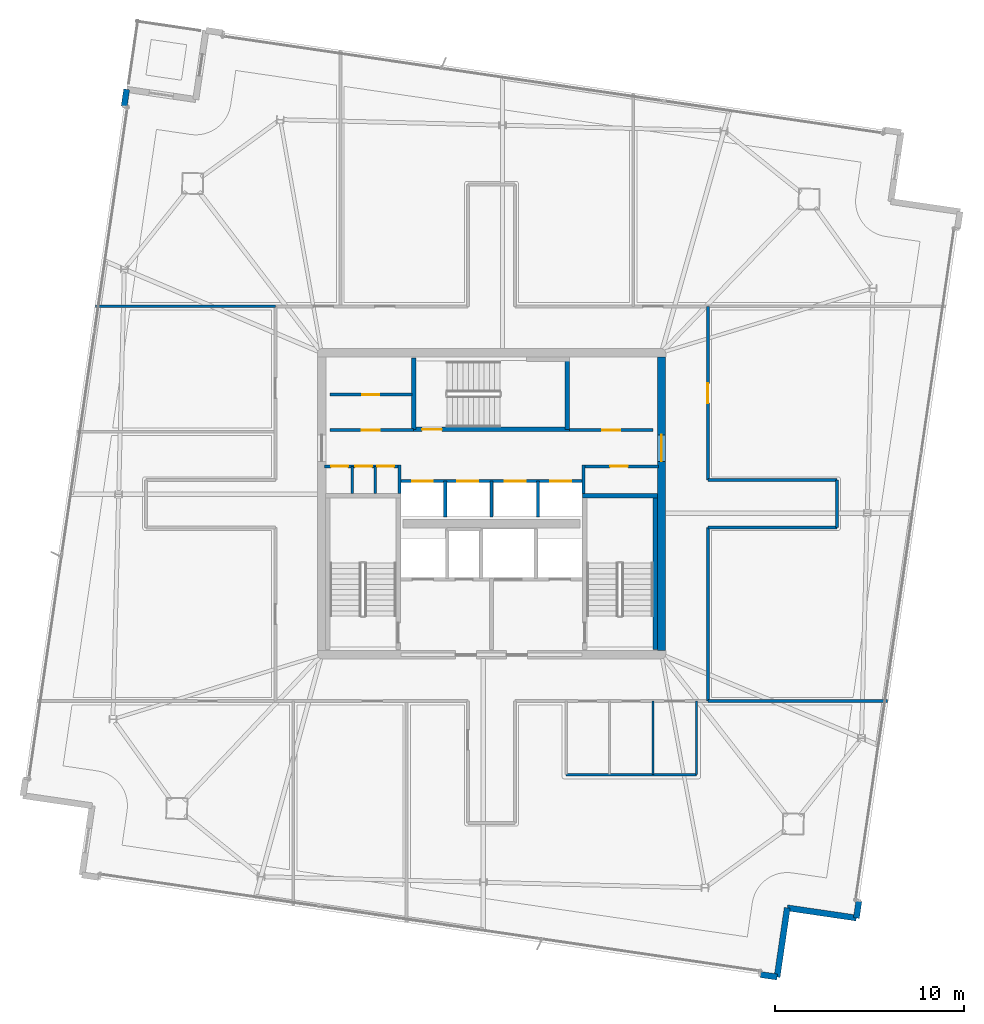
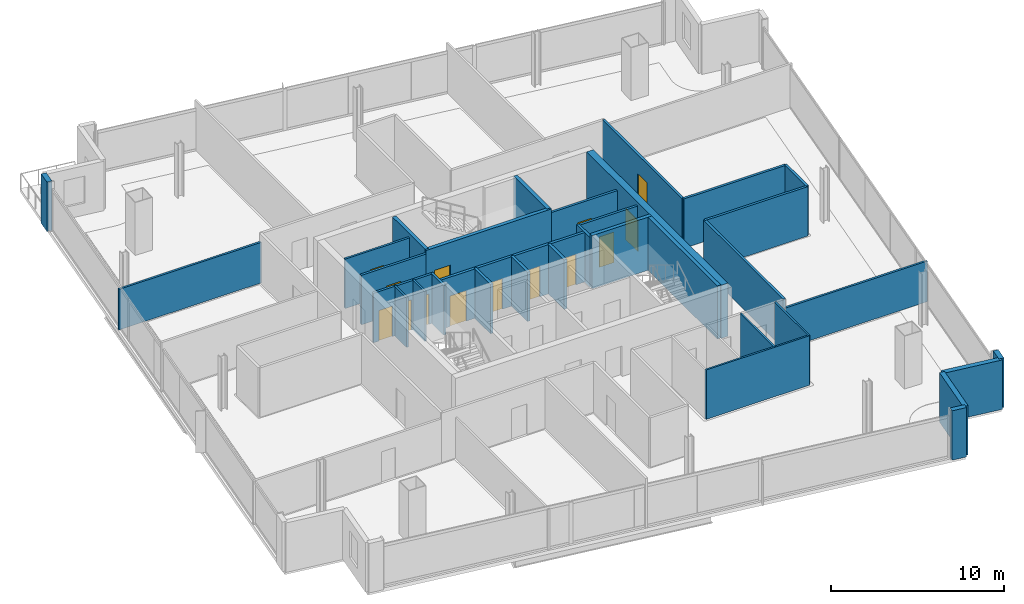
# One storey, part 18 of 22: 34 walls, 14 doors, 14 openings.
"""IFC4 building model written with IfcOpenShell, lengths in metres."""

from ifc_helpers import new_model, si_unit, direction, frame, frame_2d, origin, place, context, subcontext, project, spatial, rectangle, extrude, material, layer, layer_set, type_object, element, fill, save


model = new_model("IFC4")

# Units and contexts
model_context = context("Model", 3, precision=1e-05, world=origin(), true_north=direction((0.0, 1.0)))
body_context = subcontext(model_context, "Body", "Model", "MODEL_VIEW")
ifc_project = project(units=[si_unit("LENGTHUNIT", "METRE"), si_unit("AREAUNIT", "SQUARE_METRE"), si_unit("VOLUMEUNIT", "CUBIC_METRE"), si_unit("PLANEANGLEUNIT", "RADIAN"), si_unit("MASSUNIT", "GRAM", prefix="KILO")], contexts=[model_context])

# Site, building, storey
site_placement = place(None, origin())
site = spatial("IfcSite", under=ifc_project, at=site_placement, CompositionType="ELEMENT")
building_placement = place(site_placement, origin())
building = spatial("IfcBuilding", under=site, at=building_placement, Name="Haldenkirk Collegiate Tower", CompositionType="ELEMENT")
storey_placement = place(building_placement, frame((0.0, 0.0, 302.699951171875)))
storey = spatial("IfcBuildingStorey", under=building, at=storey_placement, Name="L76", CompositionType="ELEMENT", Elevation=302.699951171875)

# Wall, opening, door
ifc_material_1 = material(Name="Concrete f'c 55 MPa", Category="concrete")
ifc_layer_1 = layer(ifc_material_1, 0.449951171875)
ifc_layer_set_1 = layer_set([ifc_layer_1], Name="Concrete f'c 55 MPa")
wall_type_1 = type_object("IfcWallType", Name="WL-CORE-450", PredefinedType="SHEAR", material=ifc_layer_set_1)
wall_1_placement = place(storey_placement, frame((45.0, 18.22509765625, 0.0), z_axis=(0.0, 0.0, 1.0), x_axis=(0.0, 1.0, 0.0)))
wall_1 = element("IfcWall", 1, at=wall_1_placement, inside=storey, type_object=wall_type_1, Name="L76 central core shear wall E", PredefinedType="SHEAR", context=body_context, shape_type="SweptSolid", body=[
    extrude(rectangle(XDim=15.5498046875, YDim=0.449951171875, at=frame_2d((7.77490234375, 0.0))), origin(), (0.0, 0.0, 1.0), 3.75),
])
opening_1_placement = place(wall_1_placement, frame((10.014892578125, 0.0, 0.0)))
opening_1 = element("IfcOpeningElement", 2, at=opening_1_placement, cuts=wall_1, Name="Opening D-03", PredefinedType="OPENING", context=body_context, shape_type="SweptSolid", body=[
    extrude(rectangle(XDim=1.39990234375, YDim=2.199951171875, at=frame_2d((0.699951171875, 1.10009765625))), frame((0.0, 0.23486328125, 0.0), z_axis=(0.0, -1.0, 0.0), x_axis=(1.0, 0.0, 0.0)), (0.0, 0.0, 1.0), 0.469970703125),
])
ifc_material_2 = material(Name="Galvanized fire-rated hollow steel door", Category="steel")
ifc_layer_2 = layer(ifc_material_2, 0.06005859375)
ifc_layer_set_2 = layer_set([ifc_layer_2], Name="Galvanized fire-rated hollow steel door")
door_type_1 = type_object("IfcDoorType", Name="DR-LOBBY-FD90-1400", OperationType="NOTDEFINED", PredefinedType="DOOR", material=ifc_layer_set_2)
door_1_placement = place(opening_1_placement, origin())
door_1 = element("IfcDoor", 3, at=door_1_placement, inside=storey, type_object=door_type_1, Name="L76 east lift lobby portal", OperationType="DOUBLE_DOOR_SINGLE_SWING", OverallHeight=2.199951171875, OverallWidth=1.39990234375, PredefinedType="DOOR", context=body_context, shape_type="SweptSolid", body=[
    extrude(rectangle(XDim=1.39990234375, YDim=2.199951171875, at=frame_2d((0.699951171875, 1.10009765625))), frame((0.0, 0.02490234375, 0.0), z_axis=(0.0, -1.0, 0.0), x_axis=(1.0, 0.0, 0.0)), (0.0, 0.0, 1.0), 0.050048828125),
])
fill(opening_1, door_1)

# Walls
ifc_material_3 = material(Name="Precast concrete f'c 40 MPa", Category="concrete")
ifc_layer_3 = layer(ifc_material_3, 0.320068359375)
ifc_layer_set_3 = layer_set([ifc_layer_3], Name="Precast concrete f'c 40 MPa")
wall_type_2 = type_object("IfcWallType", Name="WL-EXT-TWR-320", PredefinedType="STANDARD", material=ifc_layer_set_3)
for number, where, z_axis, x_axis, name in (
    (4, (55.44970703125, 4.952392578125, 0.0), (0.0, 0.0, 1.0), (-0.145142516059, -0.989410759004, 0.0), "L76 precast corner pier SR"),
    (5, (16.55029296875, 47.047607421875, 0.0), (0.0, 0.0, 1.0), (0.145142516059, 0.989410759004, 0.0), "L76 precast corner pier NR"),
    (6, (51.120849609375, 0.9384765625, 0.0), (0.0, 0.0, 1.0), (-0.989410759004, 0.145142516059, 0.0), "L76 precast corner pier WL"),
):
    element("IfcWall", number, at=place(storey_placement, frame(where, z_axis=z_axis, x_axis=x_axis)), inside=storey, type_object=wall_type_2, Name=name, PredefinedType="STANDARD", context=body_context, shape_type="SweptSolid", body=[
        extrude(rectangle(XDim=0.89990234375, YDim=0.320068359375, at=frame_2d((0.449951171875, 0.0))), origin(), (0.0, 0.0, 1.0), 3.489990234375),
    ])
for number, where, z_axis, x_axis, name in (
    (7, (51.658203125, 4.599365234375, 0.0), (0.0, 0.0, 1.0), (-0.145226146725, -0.989398487116, 0.0), "L76 bronze precast notch wall 11"),
    (8, (55.319091796875, 4.06201171875, 0.0), (0.0, 0.0, 1.0), (-0.989398487116, 0.145226146725, 0.0), "L76 bronze precast notch wall 12"),
):
    element("IfcWall", number, at=place(storey_placement, frame(where, z_axis=z_axis, x_axis=x_axis)), inside=storey, type_object=wall_type_2, Name=name, PredefinedType="STANDARD", context=body_context, shape_type="SweptSolid", body=[
        extrude(rectangle(XDim=3.7001953125, YDim=0.320068359375, at=frame_2d((1.85009765625, 0.0))), origin(), (0.0, 0.0, 1.0), 3.489990234375),
    ])

# Wall, openings, doors
ifc_material_4 = material(Name="Acoustic fire-rated gypsum partition", Category="concrete")
ifc_layer_4 = layer(ifc_material_4, 0.159912109375)
ifc_layer_set_4 = layer_set([ifc_layer_4], Name="Acoustic fire-rated gypsum partition")
wall_type_3 = type_object("IfcWallType", Name="WL-INT-CORR-160", PredefinedType="PARTITIONING", material=ifc_layer_set_4)
wall_2_placement = place(storey_placement, frame((27.14990234375, 27.97998046875, 0.0), z_axis=(0.0, 0.0, 1.0), x_axis=(1.0, 0.0, 0.0)))
wall_2 = element("IfcWall", 9, at=wall_2_placement, inside=storey, type_object=wall_type_3, Name="L76 interior partition IW-L76-VCSW-N", PredefinedType="PARTITIONING", context=body_context, shape_type="SweptSolid", body=[
    extrude(rectangle(XDim=4.050048828125, YDim=0.159912109375, at=frame_2d((2.02490234375, 0.0))), origin(), (0.0, 0.0, 1.0), 3.489990234375),
])
opening_2_placement = place(wall_2_placement, frame((0.360107421875, 0.0, 0.0)))
opening_2 = element("IfcOpeningElement", 10, at=opening_2_placement, cuts=wall_2, Name="Opening D-11", PredefinedType="OPENING", context=body_context, shape_type="SweptSolid", body=[
    extrude(rectangle(XDim=0.89990234375, YDim=2.14990234375, at=frame_2d((0.449951171875, 1.074951171875))), frame((0.0, 0.08984375, 0.0), z_axis=(0.0, -1.0, 0.0), x_axis=(1.0, 0.0, 0.0)), (0.0, 0.0, 1.0), 0.179931640625),
])
opening_3_placement = place(wall_2_placement, frame((1.6298828125, 0.0, 0.0)))
opening_3 = element("IfcOpeningElement", 11, at=opening_3_placement, cuts=wall_2, Name="Opening D-11", PredefinedType="OPENING", context=body_context, shape_type="SweptSolid", body=[
    extrude(rectangle(XDim=0.89990234375, YDim=2.14990234375, at=frame_2d((0.449951171875, 1.074951171875))), frame((0.0, 0.08984375, 0.0), z_axis=(0.0, -1.0, 0.0), x_axis=(1.0, 0.0, 0.0)), (0.0, 0.0, 1.0), 0.179931640625),
])
opening_4_placement = place(wall_2_placement, frame((2.78759765625, 0.0, 0.0)))
opening_4 = element("IfcOpeningElement", 12, at=opening_4_placement, cuts=wall_2, Name="Opening D-11", PredefinedType="OPENING", context=body_context, shape_type="SweptSolid", body=[
    extrude(rectangle(XDim=0.89990234375, YDim=2.14990234375, at=frame_2d((0.449951171875, 1.074951171875))), frame((0.0, 0.08984375, 0.0), z_axis=(0.0, -1.0, 0.0), x_axis=(1.0, 0.0, 0.0)), (0.0, 0.0, 1.0), 0.179931640625),
])
ifc_material_5 = material(Name="Solid-core architectural oak fire door", Category="wood")
ifc_layer_5 = layer(ifc_material_5, 0.06005859375)
ifc_layer_set_5 = layer_set([ifc_layer_5], Name="Solid-core architectural oak fire door")
door_type_2 = type_object("IfcDoorType", Name="DR-INT-FD60-900", OperationType="NOTDEFINED", PredefinedType="DOOR", material=ifc_layer_set_5)
door_2_placement = place(opening_2_placement, origin())
door_2 = element("IfcDoor", 13, at=door_2_placement, inside=storey, type_object=door_type_2, Name="L76 core study booth door", OperationType="SINGLE_SWING_RIGHT", OverallHeight=2.14990234375, OverallWidth=0.89990234375, PredefinedType="DOOR", context=body_context, shape_type="SweptSolid", body=[
    extrude(rectangle(XDim=0.89990234375, YDim=2.14990234375, at=frame_2d((0.449951171875, 1.074951171875))), frame((0.0, 0.02490234375, 0.0), z_axis=(0.0, -1.0, 0.0), x_axis=(1.0, 0.0, 0.0)), (0.0, 0.0, 1.0), 0.050048828125),
])
fill(opening_2, door_2)
door_3_placement = place(opening_3_placement, origin())
door_3 = element("IfcDoor", 14, at=door_3_placement, inside=storey, type_object=door_type_2, Name="L76 core cleaners door", OperationType="SINGLE_SWING_LEFT", OverallHeight=2.14990234375, OverallWidth=0.89990234375, PredefinedType="DOOR", context=body_context, shape_type="SweptSolid", body=[
    extrude(rectangle(XDim=0.89990234375, YDim=2.14990234375, at=frame_2d((0.449951171875, 1.074951171875))), frame((0.0, 0.02490234375, 0.0), z_axis=(0.0, -1.0, 0.0), x_axis=(1.0, 0.0, 0.0)), (0.0, 0.0, 1.0), 0.050048828125),
])
fill(opening_3, door_3)
door_4_placement = place(opening_4_placement, origin())
door_4 = element("IfcDoor", 15, at=door_4_placement, inside=storey, type_object=door_type_2, Name="L76 core stationery door", OperationType="SINGLE_SWING_RIGHT", OverallHeight=2.14990234375, OverallWidth=0.89990234375, PredefinedType="DOOR", context=body_context, shape_type="SweptSolid", body=[
    extrude(rectangle(XDim=0.89990234375, YDim=2.14990234375, at=frame_2d((0.449951171875, 1.074951171875))), frame((0.0, 0.02490234375, 0.0), z_axis=(0.0, -1.0, 0.0), x_axis=(1.0, 0.0, 0.0)), (0.0, 0.0, 1.0), 0.050048828125),
])
fill(opening_4, door_4)

# Wall
wall_3_placement = place(storey_placement, frame((31.1201171875, 26.5400390625, 0.0), z_axis=(0.0, 0.0, 1.0), x_axis=(0.0, 1.0, 0.0)))
element("IfcWall", 16, at=wall_3_placement, inside=storey, type_object=wall_type_3, Name="L76 interior partition IW-L76-VCSW-E", PredefinedType="PARTITIONING", context=body_context, shape_type="SweptSolid", body=[
    extrude(rectangle(XDim=1.510009765625, YDim=0.159912109375, at=frame_2d((0.7548828125, 0.0))), origin(), (0.0, 0.0, 1.0), 3.489990234375),
])

# Wall, opening, door
wall_4_placement = place(storey_placement, frame((40.800048828125, 27.97998046875, 0.0), z_axis=(0.0, 0.0, 1.0), x_axis=(1.0, 0.0, 0.0)))
wall_4 = element("IfcWall", 17, at=wall_4_placement, inside=storey, type_object=wall_type_3, Name="L76 interior partition IW-L76-VCSE-N", PredefinedType="PARTITIONING", context=body_context, shape_type="SweptSolid", body=[
    extrude(rectangle(XDim=4.050048828125, YDim=0.159912109375, at=frame_2d((2.02490234375, 0.0))), origin(), (0.0, 0.0, 1.0), 3.489990234375),
])
opening_5_placement = place(wall_4_placement, frame((1.47509765625, 0.0, 0.0)))
opening_5 = element("IfcOpeningElement", 18, at=opening_5_placement, cuts=wall_4, Name="Opening D-10", PredefinedType="OPENING", context=body_context, shape_type="SweptSolid", body=[
    extrude(rectangle(XDim=0.949951171875, YDim=2.14990234375, at=frame_2d((0.47509765625, 1.074951171875))), frame((0.0, 0.08984375, 0.0), z_axis=(0.0, -1.0, 0.0), x_axis=(1.0, 0.0, 0.0)), (0.0, 0.0, 1.0), 0.179931640625),
])
ifc_layer_6 = layer(ifc_material_5, 0.06005859375)
ifc_layer_set_6 = layer_set([ifc_layer_6], Name="Solid-core architectural oak fire door")
door_type_3 = type_object("IfcDoorType", Name="DR-INT-FD60-950", OperationType="NOTDEFINED", PredefinedType="DOOR", material=ifc_layer_set_6)
door_5_placement = place(opening_5_placement, origin())
door_5 = element("IfcDoor", 19, at=door_5_placement, inside=storey, type_object=door_type_3, Name="L76 core archive vault door", OperationType="SINGLE_SWING_LEFT", OverallHeight=2.14990234375, OverallWidth=0.949951171875, PredefinedType="DOOR", context=body_context, shape_type="SweptSolid", body=[
    extrude(rectangle(XDim=0.949951171875, YDim=2.14990234375, at=frame_2d((0.47509765625, 1.074951171875))), frame((0.0, 0.02490234375, 0.0), z_axis=(0.0, -1.0, 0.0), x_axis=(1.0, 0.0, 0.0)), (0.0, 0.0, 1.0), 0.050048828125),
])
fill(opening_5, door_5)

# Wall
wall_5_placement = place(storey_placement, frame((40.8798828125, 26.5400390625, 0.0), z_axis=(0.0, 0.0, 1.0), x_axis=(0.0, 1.0, 0.0)))
element("IfcWall", 20, at=wall_5_placement, inside=storey, type_object=wall_type_3, Name="L76 interior partition IW-L76-VCSE-W", PredefinedType="PARTITIONING", context=body_context, shape_type="SweptSolid", body=[
    extrude(rectangle(XDim=1.510009765625, YDim=0.159912109375, at=frame_2d((0.7548828125, 0.0))), origin(), (0.0, 0.0, 1.0), 3.489990234375),
])

# Wall, opening, door
wall_6_placement = place(storey_placement, frame((27.449951171875, 29.89990234375, 0.0), z_axis=(0.0, 0.0, 1.0), x_axis=(1.0, 0.0, 0.0)))
wall_6 = element("IfcWall", 21, at=wall_6_placement, inside=storey, type_object=wall_type_3, Name="L76 interior partition IW-L76-PLS", PredefinedType="PARTITIONING", context=body_context, shape_type="SweptSolid", body=[
    extrude(rectangle(XDim=4.429931640625, YDim=0.159912109375, at=frame_2d((2.21484375, 0.0))), origin(), (0.0, 0.0, 1.0), 3.489990234375),
])
opening_6_placement = place(wall_6_placement, frame((1.675048828125, 0.0, 0.0)))
opening_6 = element("IfcOpeningElement", 22, at=opening_6_placement, cuts=wall_6, Name="Opening D-10", PredefinedType="OPENING", context=body_context, shape_type="SweptSolid", body=[
    extrude(rectangle(XDim=0.949951171875, YDim=2.14990234375, at=frame_2d((0.47509765625, 1.074951171875))), frame((0.0, 0.08984375, 0.0), z_axis=(0.0, -1.0, 0.0), x_axis=(1.0, 0.0, 0.0)), (0.0, 0.0, 1.0), 0.179931640625),
])
door_6_placement = place(opening_6_placement, origin())
door_6 = element("IfcDoor", 23, at=door_6_placement, inside=storey, type_object=door_type_3, Name="L76 consultation door", OperationType="SINGLE_SWING_RIGHT", OverallHeight=2.14990234375, OverallWidth=0.949951171875, PredefinedType="DOOR", context=body_context, shape_type="SweptSolid", body=[
    extrude(rectangle(XDim=0.949951171875, YDim=2.14990234375, at=frame_2d((0.47509765625, 1.074951171875))), frame((0.0, 0.02490234375, 0.0), z_axis=(0.0, -1.0, 0.0), x_axis=(1.0, 0.0, 0.0)), (0.0, 0.0, 1.0), 0.050048828125),
])
fill(opening_6, door_6)

wall_7_placement = place(storey_placement, frame((40.1201171875, 29.89990234375, 0.0), z_axis=(0.0, 0.0, 1.0), x_axis=(1.0, 0.0, 0.0)))
wall_7 = element("IfcWall", 24, at=wall_7_placement, inside=storey, type_object=wall_type_3, Name="L76 interior partition IW-L76-PMS", PredefinedType="PARTITIONING", context=body_context, shape_type="SweptSolid", body=[
    extrude(rectangle(XDim=4.429931640625, YDim=0.159912109375, at=frame_2d((2.21484375, 0.0))), origin(), (0.0, 0.0, 1.0), 3.489990234375),
])
opening_7_placement = place(wall_7_placement, frame((1.7548828125, 0.0, 0.0)))
opening_7 = element("IfcOpeningElement", 25, at=opening_7_placement, cuts=wall_7, Name="Opening D-10", PredefinedType="OPENING", context=body_context, shape_type="SweptSolid", body=[
    extrude(rectangle(XDim=0.949951171875, YDim=2.14990234375, at=frame_2d((0.47509765625, 1.074951171875))), frame((0.0, 0.08984375, 0.0), z_axis=(0.0, -1.0, 0.0), x_axis=(1.0, 0.0, 0.0)), (0.0, 0.0, 1.0), 0.179931640625),
])
door_7_placement = place(opening_7_placement, origin())
door_7 = element("IfcDoor", 26, at=door_7_placement, inside=storey, type_object=door_type_3, Name="L76 reference archive door", OperationType="SINGLE_SWING_RIGHT", OverallHeight=2.14990234375, OverallWidth=0.949951171875, PredefinedType="DOOR", context=body_context, shape_type="SweptSolid", body=[
    extrude(rectangle(XDim=0.949951171875, YDim=2.14990234375, at=frame_2d((0.47509765625, 1.074951171875))), frame((0.0, 0.02490234375, 0.0), z_axis=(0.0, -1.0, 0.0), x_axis=(1.0, 0.0, 0.0)), (0.0, 0.0, 1.0), 0.050048828125),
])
fill(opening_7, door_7)

# Wall
wall_8_placement = place(storey_placement, frame((47.449951171875, 15.550048828125, 0.0), z_axis=(0.0, 0.0, 1.0), x_axis=(0.0, 1.0, 0.0)))
element("IfcWall", 27, at=wall_8_placement, inside=storey, type_object=wall_type_3, Name="L76 interior partition IW-L76-CE1", PredefinedType="PARTITIONING", context=body_context, shape_type="SweptSolid", body=[
    extrude(rectangle(XDim=9.199951171875, YDim=0.159912109375, at=frame_2d((4.60009765625, 0.0))), origin(), (0.0, 0.0, 1.0), 3.489990234375),
])

# Wall, opening, door
wall_9_placement = place(storey_placement, frame((47.449951171875, 27.25, 0.0), z_axis=(0.0, 0.0, 1.0), x_axis=(0.0, 1.0, 0.0)))
wall_9 = element("IfcWall", 28, at=wall_9_placement, inside=storey, type_object=wall_type_3, Name="L76 interior partition IW-L76-CE2", PredefinedType="PARTITIONING", context=body_context, shape_type="SweptSolid", body=[
    extrude(rectangle(XDim=9.199951171875, YDim=0.159912109375, at=frame_2d((4.60009765625, 0.0))), origin(), (0.0, 0.0, 1.0), 3.489990234375),
])
opening_8_placement = place(wall_9_placement, frame((4.074951171875, 0.0, 0.0)))
opening_8 = element("IfcOpeningElement", 29, at=opening_8_placement, cuts=wall_9, Name="Opening D-09", PredefinedType="OPENING", context=body_context, shape_type="SweptSolid", body=[
    extrude(rectangle(XDim=1.050048828125, YDim=2.14990234375, at=frame_2d((0.52490234375, 1.074951171875))), frame((0.0, 0.08984375, 0.0), z_axis=(0.0, -1.0, 0.0), x_axis=(1.0, 0.0, 0.0)), (0.0, 0.0, 1.0), 0.179931640625),
])
ifc_layer_7 = layer(ifc_material_5, 0.06005859375)
ifc_layer_set_7 = layer_set([ifc_layer_7], Name="Solid-core architectural oak fire door")
door_type_4 = type_object("IfcDoorType", Name="DR-INT-FD60-1050", OperationType="NOTDEFINED", PredefinedType="DOOR", material=ifc_layer_set_7)
door_8_placement = place(opening_8_placement, origin())
door_8 = element("IfcDoor", 30, at=door_8_placement, inside=storey, type_object=door_type_4, Name="L76 Ergonomics Clinic 9 door", OperationType="SINGLE_SWING_RIGHT", OverallHeight=2.14990234375, OverallWidth=1.050048828125, PredefinedType="DOOR", context=body_context, shape_type="SweptSolid", body=[
    extrude(rectangle(XDim=1.050048828125, YDim=2.14990234375, at=frame_2d((0.52490234375, 1.074951171875))), frame((0.0, 0.02490234375, 0.0), z_axis=(0.0, -1.0, 0.0), x_axis=(1.0, 0.0, 0.0)), (0.0, 0.0, 1.0), 0.050048828125),
])
fill(opening_8, door_8)

# Walls
for number, where, z_axis, x_axis, name in (
    (31, (47.449951171875, 24.75, 0.0), (0.0, 0.0, 1.0), (1.0, 0.0, 0.0), "L76 interior partition IW-L76-EPS"),
    (32, (47.449951171875, 27.25, 0.0), (0.0, 0.0, 1.0), (1.0, 0.0, 0.0), "L76 interior partition IW-L76-EPN"),
):
    element("IfcWall", number, at=place(storey_placement, frame(where, z_axis=z_axis, x_axis=x_axis)), inside=storey, type_object=wall_type_3, Name=name, PredefinedType="PARTITIONING", context=body_context, shape_type="SweptSolid", body=[
        extrude(rectangle(XDim=6.85009765625, YDim=0.159912109375, at=frame_2d((3.425048828125, 0.0))), origin(), (0.0, 0.0, 1.0), 3.489990234375),
    ])
wall_10_placement = place(storey_placement, frame((54.300048828125, 24.75, 0.0), z_axis=(0.0, 0.0, 1.0), x_axis=(0.0, 1.0, 0.0)))
element("IfcWall", 33, at=wall_10_placement, inside=storey, type_object=wall_type_3, Name="L76 interior partition IW-L76-EPE", PredefinedType="PARTITIONING", context=body_context, shape_type="SweptSolid", body=[
    extrude(rectangle(XDim=2.5, YDim=0.159912109375, at=frame_2d((1.25, 0.0))), origin(), (0.0, 0.0, 1.0), 3.489990234375),
])

# Wall, opening, door
ifc_layer_8 = layer(ifc_material_4, 0.139892578125)
ifc_layer_set_8 = layer_set([ifc_layer_8], Name="Acoustic fire-rated gypsum partition")
wall_type_4 = type_object("IfcWallType", Name="WL-INT-DIV-140", PredefinedType="PARTITIONING", material=ifc_layer_set_8)
wall_11_placement = place(storey_placement, frame((27.449951171875, 31.780029296875, 0.0), z_axis=(0.0, 0.0, 1.0), x_axis=(1.0, 0.0, 0.0)))
wall_11 = element("IfcWall", 34, at=wall_11_placement, inside=storey, type_object=wall_type_4, Name="L76 interior partition IW-L76-PLDIVH", PredefinedType="PARTITIONING", context=body_context, shape_type="SweptSolid", body=[
    extrude(rectangle(XDim=4.35009765625, YDim=0.139892578125, at=frame_2d((2.175048828125, 0.0))), origin(), (0.0, 0.0, 1.0), 3.489990234375),
])
opening_9_placement = place(wall_11_placement, frame((1.699951171875, 0.0, 0.0)))
opening_9 = element("IfcOpeningElement", 35, at=opening_9_placement, cuts=wall_11, Name="Opening D-13", PredefinedType="OPENING", context=body_context, shape_type="SweptSolid", body=[
    extrude(rectangle(XDim=0.89990234375, YDim=2.14990234375, at=frame_2d((0.449951171875, 1.074951171875))), frame((0.0, 0.079833984375, 0.0), z_axis=(0.0, -1.0, 0.0), x_axis=(1.0, 0.0, 0.0)), (0.0, 0.0, 1.0), 0.159912109375),
])
ifc_layer_9 = layer(ifc_material_5, 0.06005859375)
ifc_layer_set_9 = layer_set([ifc_layer_9], Name="Solid-core architectural oak fire door")
door_type_5 = type_object("IfcDoorType", Name="DR-INT-STD-900", OperationType="NOTDEFINED", PredefinedType="DOOR", material=ifc_layer_set_9)
door_9_placement = place(opening_9_placement, origin())
door_9 = element("IfcDoor", 36, at=door_9_placement, inside=storey, type_object=door_type_5, Name="L76 folio vault door", OperationType="SINGLE_SWING_LEFT", OverallHeight=2.14990234375, OverallWidth=0.89990234375, PredefinedType="DOOR", context=body_context, shape_type="SweptSolid", body=[
    extrude(rectangle(XDim=0.89990234375, YDim=2.14990234375, at=frame_2d((0.449951171875, 1.074951171875))), frame((0.0, 0.02490234375, 0.0), z_axis=(0.0, -1.0, 0.0), x_axis=(1.0, 0.0, 0.0)), (0.0, 0.0, 1.0), 0.050048828125),
])
fill(opening_9, door_9)

# Walls
for number, where, z_axis, x_axis, name in (
    (37, (15.035400390625, 36.449951171875, 0.0), (0.0, 0.0, 1.0), (1.0, 0.0, 0.0), "L76 interior partition IW-L76-BWN"),
    (38, (47.449951171875, 15.550048828125, 0.0), (0.0, 0.0, 1.0), (1.0, 0.0, 0.0), "L76 interior partition IW-L76-BES"),
):
    element("IfcWall", number, at=place(storey_placement, frame(where, z_axis=z_axis, x_axis=x_axis)), inside=storey, type_object=wall_type_4, Name=name, PredefinedType="PARTITIONING", context=body_context, shape_type="SweptSolid", body=[
        extrude(rectangle(XDim=9.5146484375, YDim=0.139892578125, at=frame_2d((4.75732421875, 0.0))), origin(), (0.0, 0.0, 1.0), 2.8681640625),
    ])

# Wall, openings, doors
ifc_material_6 = material(Name="Fire-rated gypsum shaftboard assembly", Category="concrete")
ifc_layer_10 = layer(ifc_material_6, 0.179931640625)
ifc_layer_set_10 = layer_set([ifc_layer_10], Name="Fire-rated gypsum shaftboard assembly")
wall_type_5 = type_object("IfcWallType", Name="WL-INT-SHAFT-180", PredefinedType="PARTITIONING", material=ifc_layer_set_10)
wall_12_placement = place(storey_placement, frame((31.199951171875, 27.199951171875, 0.0), z_axis=(0.0, 0.0, 1.0), x_axis=(1.0, 0.0, 0.0)))
wall_12 = element("IfcWall", 39, at=wall_12_placement, inside=storey, type_object=wall_type_5, Name="L76 interior partition IW-L76-PHN", PredefinedType="PARTITIONING", context=body_context, shape_type="SweptSolid", body=[
    extrude(rectangle(XDim=9.60009765625, YDim=0.179931640625, at=frame_2d((4.800048828125, 0.0))), origin(), (0.0, 0.0, 1.0), 3.489990234375),
])
opening_10_placement = place(wall_12_placement, frame((0.590087890625, 0.0, 0.0)))
opening_10 = element("IfcOpeningElement", 40, at=opening_10_placement, cuts=wall_12, Name="Opening LD-11", PredefinedType="OPENING", context=body_context, shape_type="SweptSolid", body=[
    extrude(rectangle(XDim=1.10009765625, YDim=2.14990234375, at=frame_2d((0.550048828125, 1.074951171875))), frame((0.0, 0.099853515625, 0.0), z_axis=(0.0, -1.0, 0.0), x_axis=(1.0, 0.0, 0.0)), (0.0, 0.0, 1.0), 0.199951171875),
])
opening_11_placement = place(wall_12_placement, frame((2.989990234375, 0.0, 0.0)))
opening_11 = element("IfcOpeningElement", 41, at=opening_11_placement, cuts=wall_12, Name="Opening LD-11", PredefinedType="OPENING", context=body_context, shape_type="SweptSolid", body=[
    extrude(rectangle(XDim=1.10009765625, YDim=2.14990234375, at=frame_2d((0.550048828125, 1.074951171875))), frame((0.0, 0.099853515625, 0.0), z_axis=(0.0, -1.0, 0.0), x_axis=(1.0, 0.0, 0.0)), (0.0, 0.0, 1.0), 0.199951171875),
])
opening_12_placement = place(wall_12_placement, frame((5.510009765625, 0.0, 0.0)))
opening_12 = element("IfcOpeningElement", 42, at=opening_12_placement, cuts=wall_12, Name="Opening LD-11", PredefinedType="OPENING", context=body_context, shape_type="SweptSolid", body=[
    extrude(rectangle(XDim=1.10009765625, YDim=2.14990234375, at=frame_2d((0.550048828125, 1.074951171875))), frame((0.0, 0.099853515625, 0.0), z_axis=(0.0, -1.0, 0.0), x_axis=(1.0, 0.0, 0.0)), (0.0, 0.0, 1.0), 0.199951171875),
])
opening_13_placement = place(wall_12_placement, frame((7.909912109375, 0.0, 0.0)))
opening_13 = element("IfcOpeningElement", 43, at=opening_13_placement, cuts=wall_12, Name="Opening LD-11", PredefinedType="OPENING", context=body_context, shape_type="SweptSolid", body=[
    extrude(rectangle(XDim=1.10009765625, YDim=2.14990234375, at=frame_2d((0.550048828125, 1.074951171875))), frame((0.0, 0.099853515625, 0.0), z_axis=(0.0, -1.0, 0.0), x_axis=(1.0, 0.0, 0.0)), (0.0, 0.0, 1.0), 0.199951171875),
])
ifc_material_7 = material(Name="Brushed architectural stainless steel", Category="steel")
ifc_layer_11 = layer(ifc_material_7, 0.06005859375)
ifc_layer_set_11 = layer_set([ifc_layer_11], Name="Brushed architectural stainless steel")
door_type_6 = type_object("IfcDoorType", Name="LD-PASS-1100", OperationType="NOTDEFINED", PredefinedType="DOOR", material=ifc_layer_set_11)
door_10_placement = place(opening_10_placement, origin())
door_10 = element("IfcDoor", 44, at=door_10_placement, inside=storey, type_object=door_type_6, Name="L76 Elevator PH1 sliding landing door", OperationType="SLIDING_TO_LEFT", OverallHeight=2.14990234375, OverallWidth=1.10009765625, PredefinedType="DOOR", context=body_context, shape_type="SweptSolid", body=[
    extrude(rectangle(XDim=1.10009765625, YDim=2.14990234375, at=frame_2d((0.550048828125, 1.074951171875))), frame((0.0, 0.02490234375, 0.0), z_axis=(0.0, -1.0, 0.0), x_axis=(1.0, 0.0, 0.0)), (0.0, 0.0, 1.0), 0.050048828125),
])
fill(opening_10, door_10)
door_11_placement = place(opening_11_placement, origin())
door_11 = element("IfcDoor", 45, at=door_11_placement, inside=storey, type_object=door_type_6, Name="L76 Elevator PH2 sliding landing door", OperationType="SLIDING_TO_LEFT", OverallHeight=2.14990234375, OverallWidth=1.10009765625, PredefinedType="DOOR", context=body_context, shape_type="SweptSolid", body=[
    extrude(rectangle(XDim=1.10009765625, YDim=2.14990234375, at=frame_2d((0.550048828125, 1.074951171875))), frame((0.0, 0.02490234375, 0.0), z_axis=(0.0, -1.0, 0.0), x_axis=(1.0, 0.0, 0.0)), (0.0, 0.0, 1.0), 0.050048828125),
])
fill(opening_11, door_11)
door_12_placement = place(opening_12_placement, origin())
door_12 = element("IfcDoor", 46, at=door_12_placement, inside=storey, type_object=door_type_6, Name="L76 Elevator PH3 sliding landing door", OperationType="SLIDING_TO_LEFT", OverallHeight=2.14990234375, OverallWidth=1.10009765625, PredefinedType="DOOR", context=body_context, shape_type="SweptSolid", body=[
    extrude(rectangle(XDim=1.10009765625, YDim=2.14990234375, at=frame_2d((0.550048828125, 1.074951171875))), frame((0.0, 0.02490234375, 0.0), z_axis=(0.0, -1.0, 0.0), x_axis=(1.0, 0.0, 0.0)), (0.0, 0.0, 1.0), 0.050048828125),
])
fill(opening_12, door_12)
door_13_placement = place(opening_13_placement, origin())
door_13 = element("IfcDoor", 47, at=door_13_placement, inside=storey, type_object=door_type_6, Name="L76 Elevator PH4 sliding landing door", OperationType="SLIDING_TO_LEFT", OverallHeight=2.14990234375, OverallWidth=1.10009765625, PredefinedType="DOOR", context=body_context, shape_type="SweptSolid", body=[
    extrude(rectangle(XDim=1.10009765625, YDim=2.14990234375, at=frame_2d((0.550048828125, 1.074951171875))), frame((0.0, 0.02490234375, 0.0), z_axis=(0.0, -1.0, 0.0), x_axis=(1.0, 0.0, 0.0)), (0.0, 0.0, 1.0), 0.050048828125),
])
fill(opening_13, door_13)

# Walls
for number, where, z_axis, x_axis, name in (
    (48, (33.5400390625, 25.300048828125, 0.0), (0.0, 0.0, 1.0), (0.0, 1.0, 0.0), "L76 interior partition IW-L76-PHV1"),
    (49, (36.0, 25.300048828125, 0.0), (0.0, 0.0, 1.0), (0.0, 1.0, 0.0), "L76 interior partition IW-L76-PHV2"),
    (50, (38.4599609375, 25.300048828125, 0.0), (0.0, 0.0, 1.0), (0.0, 1.0, 0.0), "L76 interior partition IW-L76-PHV3"),
):
    element("IfcWall", number, at=place(storey_placement, frame(where, z_axis=z_axis, x_axis=x_axis)), inside=storey, type_object=wall_type_5, Name=name, PredefinedType="PARTITIONING", context=body_context, shape_type="SweptSolid", body=[
        extrude(rectangle(XDim=1.89990234375, YDim=0.179931640625, at=frame_2d((0.949951171875, 0.0))), origin(), (0.0, 0.0, 1.0), 3.489990234375),
    ])
ifc_layer_12 = layer(ifc_material_4, 0.1201171875)
ifc_layer_set_12 = layer_set([ifc_layer_12], Name="Acoustic fire-rated gypsum partition")
wall_type_6 = type_object("IfcWallType", Name="WL-INT-WET-120", PredefinedType="PARTITIONING", material=ifc_layer_set_12)
for number, where, z_axis, x_axis, name in (
    (51, (28.6201171875, 26.5400390625, 0.0), (0.0, 0.0, 1.0), (0.0, 1.0, 0.0), "L76 interior partition IW-L76-VCSW-M1"),
    (52, (29.840087890625, 26.5400390625, 0.0), (0.0, 0.0, 1.0), (0.0, 1.0, 0.0), "L76 interior partition IW-L76-VCSW-M2"),
):
    element("IfcWall", number, at=place(storey_placement, frame(where, z_axis=z_axis, x_axis=x_axis)), inside=storey, type_object=wall_type_6, Name=name, PredefinedType="PARTITIONING", context=body_context, shape_type="SweptSolid", body=[
        extrude(rectangle(XDim=1.43994140625, YDim=0.1201171875, at=frame_2d((0.719970703125, 0.0))), origin(), (0.0, 0.0, 1.0), 3.489990234375),
    ])
for number, where, z_axis, x_axis, name in (
    (53, (44.550048828125, 11.64990234375, 0.0), (0.0, 0.0, 1.0), (0.0, 1.0, 0.0), "L76 interior partition IW-L76-WC2"),
    (54, (46.85009765625, 11.64990234375, 0.0), (0.0, 0.0, 1.0), (0.0, 1.0, 0.0), "L76 interior partition IW-L76-WCE"),
):
    element("IfcWall", number, at=place(storey_placement, frame(where, z_axis=z_axis, x_axis=x_axis)), inside=storey, type_object=wall_type_6, Name=name, PredefinedType="PARTITIONING", context=body_context, shape_type="SweptSolid", body=[
        extrude(rectangle(XDim=3.900146484375, YDim=0.1201171875, at=frame_2d((1.9501953125, 0.0))), origin(), (0.0, 0.0, 1.0), 3.489990234375),
    ])
wall_13_placement = place(storey_placement, frame((39.949951171875, 11.64990234375, 0.0), z_axis=(0.0, 0.0, 1.0), x_axis=(1.0, 0.0, 0.0)))
element("IfcWall", 55, at=wall_13_placement, inside=storey, type_object=wall_type_6, Name="L76 interior partition IW-L76-WCB", PredefinedType="PARTITIONING", context=body_context, shape_type="SweptSolid", body=[
    extrude(rectangle(XDim=6.900146484375, YDim=0.1201171875, at=frame_2d((3.4501953125, 0.0))), origin(), (0.0, 0.0, 1.0), 3.489990234375),
])
ifc_layer_13 = layer(ifc_material_1, 0.239990234375)
ifc_layer_set_13 = layer_set([ifc_layer_13], Name="Concrete f'c 55 MPa")
wall_type_7 = type_object("IfcWallType", Name="WL-SHAFT-240", PredefinedType="SHEAR", material=ifc_layer_set_13)
wall_14_placement = place(storey_placement, frame((40.81005859375, 26.419921875, 0.0), z_axis=(0.0, 0.0, 1.0), x_axis=(1.0, 0.0, 0.0)))
element("IfcWall", 56, at=wall_14_placement, inside=storey, type_object=wall_type_7, Name="L76 stair shaft shear wall SW-L76-ST2N", PredefinedType="SHEAR", context=body_context, shape_type="SweptSolid", body=[
    extrude(rectangle(XDim=3.97998046875, YDim=0.239990234375, at=frame_2d((1.989990234375, 0.0))), origin(), (0.0, 0.0, 1.0), 3.75),
])
wall_15_placement = place(storey_placement, frame((44.669921875, 18.280029296875, 0.0), z_axis=(0.0, 0.0, 1.0), x_axis=(0.0, 1.0, 0.0)))
element("IfcWall", 57, at=wall_15_placement, inside=storey, type_object=wall_type_7, Name="L76 stair shaft shear wall SW-L76-ST2E", PredefinedType="SHEAR", context=body_context, shape_type="SweptSolid", body=[
    extrude(rectangle(XDim=8.260009765625, YDim=0.239990234375, at=frame_2d((4.1298828125, 0.0))), origin(), (0.0, 0.0, 1.0), 3.75),
])

# Wall, opening, door
wall_16_placement = place(storey_placement, frame((31.760009765625, 29.929931640625, 0.0), z_axis=(0.0, 0.0, 1.0), x_axis=(1.0, 0.0, 0.0)))
wall_16 = element("IfcWall", 58, at=wall_16_placement, inside=storey, type_object=wall_type_7, Name="L76 stair shaft shear wall SW-L76-ST3S", PredefinedType="SHEAR", context=body_context, shape_type="SweptSolid", body=[
    extrude(rectangle(XDim=8.3798828125, YDim=0.239990234375, at=frame_2d((4.18994140625, 0.0))), origin(), (0.0, 0.0, 1.0), 3.75),
])
opening_14_placement = place(wall_16_placement, frame((0.56494140625, 0.0, 0.0)))
opening_14 = element("IfcOpeningElement", 59, at=opening_14_placement, cuts=wall_16, Name="Opening D-01", PredefinedType="OPENING", context=body_context, shape_type="SweptSolid", body=[
    extrude(rectangle(XDim=1.050048828125, YDim=2.14990234375, at=frame_2d((0.52490234375, 1.074951171875))), frame((0.0, 0.1298828125, 0.0), z_axis=(0.0, -1.0, 0.0), x_axis=(1.0, 0.0, 0.0)), (0.0, 0.0, 1.0), 0.260009765625),
])
ifc_layer_14 = layer(ifc_material_2, 0.06005859375)
ifc_layer_set_14 = layer_set([ifc_layer_14], Name="Galvanized fire-rated hollow steel door")
door_type_7 = type_object("IfcDoorType", Name="DR-STAIR-FD90-1050", OperationType="NOTDEFINED", PredefinedType="DOOR", material=ifc_layer_set_14)
door_14_placement = place(opening_14_placement, origin())
door_14 = element("IfcDoor", 60, at=door_14_placement, inside=storey, type_object=door_type_7, Name="L76 lift lobby Stair 3 door", OperationType="SINGLE_SWING_LEFT", OverallHeight=2.14990234375, OverallWidth=1.050048828125, PredefinedType="DOOR", context=body_context, shape_type="SweptSolid", body=[
    extrude(rectangle(XDim=1.050048828125, YDim=2.14990234375, at=frame_2d((0.52490234375, 1.074951171875))), frame((0.0, 0.02490234375, 0.0), z_axis=(0.0, -1.0, 0.0), x_axis=(1.0, 0.0, 0.0)), (0.0, 0.0, 1.0), 0.050048828125),
])
fill(opening_14, door_14)

# Walls
wall_17_placement = place(storey_placement, frame((31.8798828125, 29.929931640625, 0.0), z_axis=(0.0, 0.0, 1.0), x_axis=(0.0, 1.0, 0.0)))
element("IfcWall", 61, at=wall_17_placement, inside=storey, type_object=wall_type_7, Name="L76 stair shaft shear wall SW-L76-ST3W", PredefinedType="SHEAR", context=body_context, shape_type="SweptSolid", body=[
    extrude(rectangle(XDim=3.7900390625, YDim=0.239990234375, at=frame_2d((1.89501953125, 0.0))), origin(), (0.0, 0.0, 1.0), 3.75),
])
wall_18_placement = place(storey_placement, frame((40.02001953125, 29.929931640625, 0.0), z_axis=(0.0, 0.0, 1.0), x_axis=(0.0, 1.0, 0.0)))
element("IfcWall", 62, at=wall_18_placement, inside=storey, type_object=wall_type_7, Name="L76 stair shaft shear wall SW-L76-ST3E", PredefinedType="SHEAR", context=body_context, shape_type="SweptSolid", body=[
    extrude(rectangle(XDim=3.85009765625, YDim=0.239990234375, at=frame_2d((1.925048828125, 0.0))), origin(), (0.0, 0.0, 1.0), 3.75),
])

save(model, "model.ifc")
